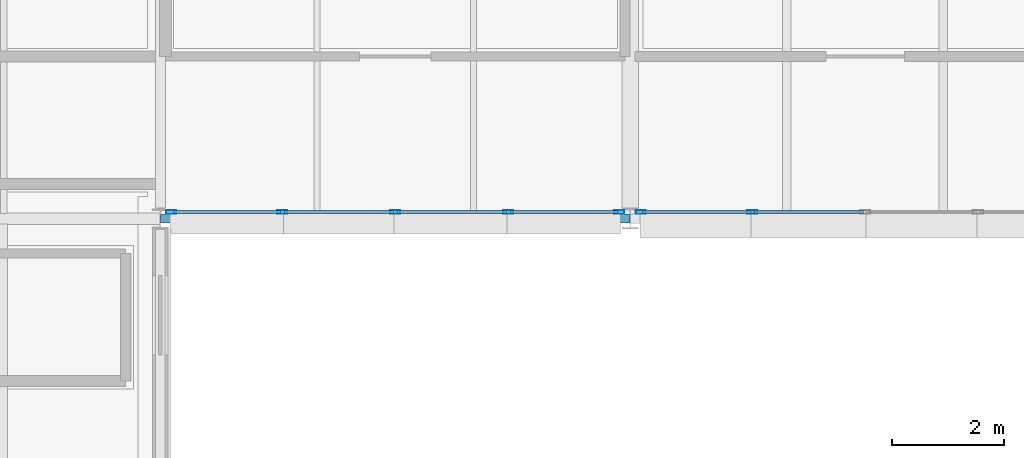
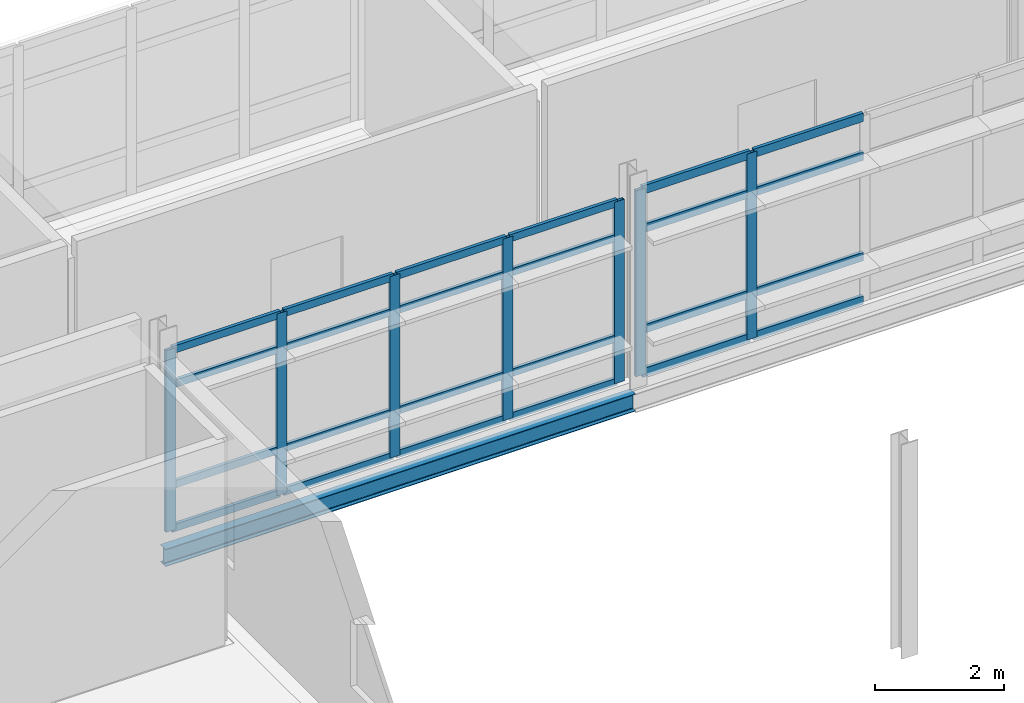
# One storey, part 9 of 66: 31 members, 1 beam, 2 elements without a shape of their own.
"""IFC4 building model written with IfcOpenShell, lengths in metres."""

from ifc_helpers import new_model, si_unit, direction, frame, origin, origin_2d, place, context, subcontext, project, spatial, hollow_rectangle, i_section, extrude, material, material_profile, profile_set, type_object, element, aggregate, save


model = new_model("IFC4")

# Units and contexts
model_context = context("Model", 3, precision=1e-05, world=origin(), true_north=direction((0.0, 1.0)))
body_context = subcontext(model_context, "Body", "Model", "MODEL_VIEW")
ifc_project = project(units=[si_unit("LENGTHUNIT", "METRE"), si_unit("AREAUNIT", "SQUARE_METRE"), si_unit("VOLUMEUNIT", "CUBIC_METRE"), si_unit("PLANEANGLEUNIT", "RADIAN"), si_unit("MASSUNIT", "GRAM", prefix="KILO")], contexts=[model_context])

# Site, building, storey
site_placement = place(None, origin())
site = spatial("IfcSite", under=ifc_project, at=site_placement, CompositionType="ELEMENT")
building_placement = place(site_placement, origin())
building = spatial("IfcBuilding", under=site, at=building_placement, Name="Mersafa Astral City Hall", CompositionType="ELEMENT")
storey_placement = place(building_placement, frame((0.0, 0.0, 22.050048828125)))
storey = spatial("IfcBuildingStorey", under=building, at=storey_placement, Name="L05", CompositionType="ELEMENT", Elevation=22.050048828125)

# Curtain wall, members
ifc_material_1 = material(Name="Anodised bronze aluminium framing", Category="aluminium")
curtain_wall_type_1 = type_object("IfcCurtainWallType", Name="ENV-CW-2", PredefinedType="USERDEFINED", material=ifc_material_1)
curtain_wall_1_placement = place(storey_placement, origin())
curtain_wall_1 = element("IfcCurtainWall", 1, at=curtain_wall_1_placement, inside=storey, type_object=curtain_wall_type_1, Name="L05 Unitised solar curtain wall 235", ObjectType="UNITISED CURTAIN WALL", PredefinedType="USERDEFINED")
ifc_material_profile_1 = material_profile(ifc_material_1, hollow_rectangle(XDim=0.06005859375, YDim=0.179931640625, WallThickness=0.00390625, at=origin_2d()), Name="RHS 60x180x4")
ifc_profile_set_1 = profile_set([ifc_material_profile_1], Name="Anodised bronze aluminium framing")
member_type_1 = type_object("IfcMemberType", Name="ENV-CW-MUL-1", PredefinedType="MULLION", material=ifc_profile_set_1)
member_1_placement = place(storey_placement, frame((58.991943359375, 117.719970703125, -0.001953125), z_axis=(0.0, 0.0, 1.0), x_axis=(0.0, 1.0, 0.0)))
member_1 = element("IfcMember", 2, at=member_1_placement, type_object=member_type_1, Name="CW-2 mullion 1", PredefinedType="MULLION", context=body_context, shape_type="SweptSolid", body=[
    extrude(hollow_rectangle(XDim=0.06005859375, YDim=0.179931640625, WallThickness=0.00390625, at=origin_2d()), origin(), (0.0, 0.0, 1.0), 3.433837890625),
])
member_2_placement = place(storey_placement, frame((60.98095703125, 117.719970703125, -0.001953125), z_axis=(0.0, 0.0, 1.0), x_axis=(0.0, 1.0, 0.0)))
member_2 = element("IfcMember", 3, at=member_2_placement, type_object=member_type_1, Name="CW-2 mullion 2", PredefinedType="MULLION", context=body_context, shape_type="SweptSolid", body=[
    extrude(hollow_rectangle(XDim=0.06005859375, YDim=0.179931640625, WallThickness=0.00390625, at=origin_2d()), origin(), (0.0, 0.0, 1.0), 3.433837890625),
])
member_3_placement = place(storey_placement, frame((63.0, 117.719970703125, -0.001953125), z_axis=(0.0, 0.0, 1.0), x_axis=(0.0, 1.0, 0.0)))
member_3 = element("IfcMember", 4, at=member_3_placement, type_object=member_type_1, Name="CW-2 mullion 3", PredefinedType="MULLION", context=body_context, shape_type="SweptSolid", body=[
    extrude(hollow_rectangle(XDim=0.06005859375, YDim=0.179931640625, WallThickness=0.00390625, at=origin_2d()), origin(), (0.0, 0.0, 1.0), 3.433837890625),
])
member_4_placement = place(storey_placement, frame((65.01904296875, 117.719970703125, -0.001953125), z_axis=(0.0, 0.0, 1.0), x_axis=(0.0, 1.0, 0.0)))
member_4 = element("IfcMember", 5, at=member_4_placement, type_object=member_type_1, Name="CW-2 mullion 4", PredefinedType="MULLION", context=body_context, shape_type="SweptSolid", body=[
    extrude(hollow_rectangle(XDim=0.06005859375, YDim=0.179931640625, WallThickness=0.00390625, at=origin_2d()), origin(), (0.0, 0.0, 1.0), 3.433837890625),
])
member_5_placement = place(storey_placement, frame((67.008056640625, 117.719970703125, -0.001953125), z_axis=(0.0, 0.0, 1.0), x_axis=(0.0, 1.0, 0.0)))
member_5 = element("IfcMember", 6, at=member_5_placement, type_object=member_type_1, Name="CW-2 mullion 5", PredefinedType="MULLION", context=body_context, shape_type="SweptSolid", body=[
    extrude(hollow_rectangle(XDim=0.06005859375, YDim=0.179931640625, WallThickness=0.00390625, at=origin_2d()), origin(), (0.0, 0.0, 1.0), 3.433837890625),
])

curtain_wall_type_2 = type_object("IfcCurtainWallType", Name="ENV-CW-3", PredefinedType="USERDEFINED", material=ifc_material_1)
curtain_wall_2_placement = place(storey_placement, origin())
curtain_wall_2 = element("IfcCurtainWall", 7, at=curtain_wall_2_placement, inside=storey, type_object=curtain_wall_type_2, Name="L05 Unitised solar curtain wall 236", ObjectType="UNITISED CURTAIN WALL", PredefinedType="USERDEFINED")
member_6_placement = place(storey_placement, frame((67.39208984375, 117.719970703125, -0.001953125), z_axis=(0.0, 0.0, 1.0), x_axis=(0.0, 1.0, 0.0)))
member_6 = element("IfcMember", 8, at=member_6_placement, type_object=member_type_1, Name="CW-3 mullion 1", PredefinedType="MULLION", context=body_context, shape_type="SweptSolid", body=[
    extrude(hollow_rectangle(XDim=0.06005859375, YDim=0.179931640625, WallThickness=0.00390625, at=origin_2d()), origin(), (0.0, 0.0, 1.0), 3.513916015625),
])
member_7_placement = place(storey_placement, frame((69.381103515625, 117.719970703125, -0.001953125), z_axis=(0.0, 0.0, 1.0), x_axis=(0.0, 1.0, 0.0)))
member_7 = element("IfcMember", 9, at=member_7_placement, type_object=member_type_1, Name="CW-3 mullion 2", PredefinedType="MULLION", context=body_context, shape_type="SweptSolid", body=[
    extrude(hollow_rectangle(XDim=0.06005859375, YDim=0.179931640625, WallThickness=0.00390625, at=origin_2d()), origin(), (0.0, 0.0, 1.0), 3.513916015625),
])

# Member
ifc_material_profile_2 = material_profile(ifc_material_1, hollow_rectangle(XDim=0.06005859375, YDim=0.139892578125, WallThickness=0.00390625, at=origin_2d()), Name="RHS 60x140x4")
ifc_profile_set_2 = profile_set([ifc_material_profile_2], Name="Anodised bronze aluminium framing")
member_type_2 = type_object("IfcMemberType", Name="ENV-CW-TRN-1", PredefinedType="USERDEFINED", material=ifc_profile_set_2)
member_8_placement = place(storey_placement, frame((59.02197265625, 117.719970703125, 0.02783203125), z_axis=(1.0, 0.0, 0.0), x_axis=(0.0, 1.0, 0.0)))
member_8 = element("IfcMember", 10, at=member_8_placement, type_object=member_type_2, Name="CW-2 transom 1.1", ObjectType="TRANSOM", PredefinedType="USERDEFINED", context=body_context, shape_type="SweptSolid", body=[
    extrude(hollow_rectangle(XDim=0.06005859375, YDim=0.139892578125, WallThickness=0.00390625, at=origin_2d()), origin(), (0.0, 0.0, 1.0), 1.928955078125),
])

member_9_placement = place(storey_placement, frame((59.02197265625, 117.719970703125, 0.849853515625), z_axis=(1.0, 0.0, 0.0), x_axis=(0.0, 1.0, 0.0)))
member_9 = element("IfcMember", 11, at=member_9_placement, type_object=member_type_2, Name="CW-2 transom 1.2", ObjectType="TRANSOM", PredefinedType="USERDEFINED", context=body_context, shape_type="SweptSolid", body=[
    extrude(hollow_rectangle(XDim=0.06005859375, YDim=0.139892578125, WallThickness=0.00390625, at=origin_2d()), origin(), (0.0, 0.0, 1.0), 1.928955078125),
])

member_10_placement = place(storey_placement, frame((59.02197265625, 117.719970703125, 2.75), z_axis=(1.0, 0.0, 0.0), x_axis=(0.0, 1.0, 0.0)))
member_10 = element("IfcMember", 12, at=member_10_placement, type_object=member_type_2, Name="CW-2 transom 1.3", ObjectType="TRANSOM", PredefinedType="USERDEFINED", context=body_context, shape_type="SweptSolid", body=[
    extrude(hollow_rectangle(XDim=0.06005859375, YDim=0.139892578125, WallThickness=0.00390625, at=origin_2d()), origin(), (0.0, 0.0, 1.0), 1.928955078125),
])

member_11_placement = place(storey_placement, frame((59.02197265625, 117.719970703125, 3.40185546875), z_axis=(1.0, 0.0, 0.0), x_axis=(0.0, 1.0, 0.0)))
member_11 = element("IfcMember", 13, at=member_11_placement, type_object=member_type_2, Name="CW-2 transom 1.4", ObjectType="TRANSOM", PredefinedType="USERDEFINED", context=body_context, shape_type="SweptSolid", body=[
    extrude(hollow_rectangle(XDim=0.06005859375, YDim=0.139892578125, WallThickness=0.00390625, at=origin_2d()), origin(), (0.0, 0.0, 1.0), 1.928955078125),
])

member_12_placement = place(storey_placement, frame((61.010986328125, 117.719970703125, 0.02783203125), z_axis=(1.0, 0.0, 0.0), x_axis=(0.0, 1.0, 0.0)))
member_12 = element("IfcMember", 14, at=member_12_placement, type_object=member_type_2, Name="CW-2 transom 2.1", ObjectType="TRANSOM", PredefinedType="USERDEFINED", context=body_context, shape_type="SweptSolid", body=[
    extrude(hollow_rectangle(XDim=0.06005859375, YDim=0.139892578125, WallThickness=0.00390625, at=origin_2d()), origin(), (0.0, 0.0, 1.0), 1.958984375),
])

member_13_placement = place(storey_placement, frame((61.010986328125, 117.719970703125, 0.849853515625), z_axis=(1.0, 0.0, 0.0), x_axis=(0.0, 1.0, 0.0)))
member_13 = element("IfcMember", 15, at=member_13_placement, type_object=member_type_2, Name="CW-2 transom 2.2", ObjectType="TRANSOM", PredefinedType="USERDEFINED", context=body_context, shape_type="SweptSolid", body=[
    extrude(hollow_rectangle(XDim=0.06005859375, YDim=0.139892578125, WallThickness=0.00390625, at=origin_2d()), origin(), (0.0, 0.0, 1.0), 1.958984375),
])

member_14_placement = place(storey_placement, frame((61.010986328125, 117.719970703125, 2.75), z_axis=(1.0, 0.0, 0.0), x_axis=(0.0, 1.0, 0.0)))
member_14 = element("IfcMember", 16, at=member_14_placement, type_object=member_type_2, Name="CW-2 transom 2.3", ObjectType="TRANSOM", PredefinedType="USERDEFINED", context=body_context, shape_type="SweptSolid", body=[
    extrude(hollow_rectangle(XDim=0.06005859375, YDim=0.139892578125, WallThickness=0.00390625, at=origin_2d()), origin(), (0.0, 0.0, 1.0), 1.958984375),
])

member_15_placement = place(storey_placement, frame((61.010986328125, 117.719970703125, 3.40185546875), z_axis=(1.0, 0.0, 0.0), x_axis=(0.0, 1.0, 0.0)))
member_15 = element("IfcMember", 17, at=member_15_placement, type_object=member_type_2, Name="CW-2 transom 2.4", ObjectType="TRANSOM", PredefinedType="USERDEFINED", context=body_context, shape_type="SweptSolid", body=[
    extrude(hollow_rectangle(XDim=0.06005859375, YDim=0.139892578125, WallThickness=0.00390625, at=origin_2d()), origin(), (0.0, 0.0, 1.0), 1.958984375),
])

member_16_placement = place(storey_placement, frame((63.030029296875, 117.719970703125, 0.02783203125), z_axis=(1.0, 0.0, 0.0), x_axis=(0.0, 1.0, 0.0)))
member_16 = element("IfcMember", 18, at=member_16_placement, type_object=member_type_2, Name="CW-2 transom 3.1", ObjectType="TRANSOM", PredefinedType="USERDEFINED", context=body_context, shape_type="SweptSolid", body=[
    extrude(hollow_rectangle(XDim=0.06005859375, YDim=0.139892578125, WallThickness=0.00390625, at=origin_2d()), origin(), (0.0, 0.0, 1.0), 1.958984375),
])

member_17_placement = place(storey_placement, frame((63.030029296875, 117.719970703125, 0.849853515625), z_axis=(1.0, 0.0, 0.0), x_axis=(0.0, 1.0, 0.0)))
member_17 = element("IfcMember", 19, at=member_17_placement, type_object=member_type_2, Name="CW-2 transom 3.2", ObjectType="TRANSOM", PredefinedType="USERDEFINED", context=body_context, shape_type="SweptSolid", body=[
    extrude(hollow_rectangle(XDim=0.06005859375, YDim=0.139892578125, WallThickness=0.00390625, at=origin_2d()), origin(), (0.0, 0.0, 1.0), 1.958984375),
])

member_18_placement = place(storey_placement, frame((63.030029296875, 117.719970703125, 2.75), z_axis=(1.0, 0.0, 0.0), x_axis=(0.0, 1.0, 0.0)))
member_18 = element("IfcMember", 20, at=member_18_placement, type_object=member_type_2, Name="CW-2 transom 3.3", ObjectType="TRANSOM", PredefinedType="USERDEFINED", context=body_context, shape_type="SweptSolid", body=[
    extrude(hollow_rectangle(XDim=0.06005859375, YDim=0.139892578125, WallThickness=0.00390625, at=origin_2d()), origin(), (0.0, 0.0, 1.0), 1.958984375),
])

member_19_placement = place(storey_placement, frame((63.030029296875, 117.719970703125, 3.40185546875), z_axis=(1.0, 0.0, 0.0), x_axis=(0.0, 1.0, 0.0)))
member_19 = element("IfcMember", 21, at=member_19_placement, type_object=member_type_2, Name="CW-2 transom 3.4", ObjectType="TRANSOM", PredefinedType="USERDEFINED", context=body_context, shape_type="SweptSolid", body=[
    extrude(hollow_rectangle(XDim=0.06005859375, YDim=0.139892578125, WallThickness=0.00390625, at=origin_2d()), origin(), (0.0, 0.0, 1.0), 1.958984375),
])

member_20_placement = place(storey_placement, frame((65.049072265625, 117.719970703125, 0.02783203125), z_axis=(1.0, 0.0, 0.0), x_axis=(0.0, 1.0, 0.0)))
member_20 = element("IfcMember", 22, at=member_20_placement, type_object=member_type_2, Name="CW-2 transom 4.1", ObjectType="TRANSOM", PredefinedType="USERDEFINED", context=body_context, shape_type="SweptSolid", body=[
    extrude(hollow_rectangle(XDim=0.06005859375, YDim=0.139892578125, WallThickness=0.00390625, at=origin_2d()), origin(), (0.0, 0.0, 1.0), 1.928955078125),
])

member_21_placement = place(storey_placement, frame((65.049072265625, 117.719970703125, 0.849853515625), z_axis=(1.0, 0.0, 0.0), x_axis=(0.0, 1.0, 0.0)))
member_21 = element("IfcMember", 23, at=member_21_placement, type_object=member_type_2, Name="CW-2 transom 4.2", ObjectType="TRANSOM", PredefinedType="USERDEFINED", context=body_context, shape_type="SweptSolid", body=[
    extrude(hollow_rectangle(XDim=0.06005859375, YDim=0.139892578125, WallThickness=0.00390625, at=origin_2d()), origin(), (0.0, 0.0, 1.0), 1.928955078125),
])

member_22_placement = place(storey_placement, frame((65.049072265625, 117.719970703125, 2.75), z_axis=(1.0, 0.0, 0.0), x_axis=(0.0, 1.0, 0.0)))
member_22 = element("IfcMember", 24, at=member_22_placement, type_object=member_type_2, Name="CW-2 transom 4.3", ObjectType="TRANSOM", PredefinedType="USERDEFINED", context=body_context, shape_type="SweptSolid", body=[
    extrude(hollow_rectangle(XDim=0.06005859375, YDim=0.139892578125, WallThickness=0.00390625, at=origin_2d()), origin(), (0.0, 0.0, 1.0), 1.928955078125),
])

member_23_placement = place(storey_placement, frame((65.049072265625, 117.719970703125, 3.40185546875), z_axis=(1.0, 0.0, 0.0), x_axis=(0.0, 1.0, 0.0)))
member_23 = element("IfcMember", 25, at=member_23_placement, type_object=member_type_2, Name="CW-2 transom 4.4", ObjectType="TRANSOM", PredefinedType="USERDEFINED", context=body_context, shape_type="SweptSolid", body=[
    extrude(hollow_rectangle(XDim=0.06005859375, YDim=0.139892578125, WallThickness=0.00390625, at=origin_2d()), origin(), (0.0, 0.0, 1.0), 1.928955078125),
])

aggregate(curtain_wall_1, [member_1, member_2, member_3, member_4, member_5, member_8, member_9, member_10, member_11, member_12, member_13, member_14, member_15, member_16, member_17, member_18, member_19, member_20, member_21, member_22, member_23])

ifc_material_profile_3 = material_profile(ifc_material_1, hollow_rectangle(XDim=0.06005859375, YDim=0.159912109375, WallThickness=0.00390625, at=origin_2d()), Name="RHS 60x160x4")
ifc_profile_set_3 = profile_set([ifc_material_profile_3], Name="Anodised bronze aluminium framing")
member_type_3 = type_object("IfcMemberType", Name="ENV-CW-TRN-2", PredefinedType="USERDEFINED", material=ifc_profile_set_3)
member_24_placement = place(storey_placement, frame((67.422119140625, 117.719970703125, 0.02783203125), z_axis=(1.0, 0.0, 0.0), x_axis=(0.0, 1.0, 0.0)))
member_24 = element("IfcMember", 26, at=member_24_placement, type_object=member_type_3, Name="CW-3 transom 1.1", ObjectType="TRANSOM", PredefinedType="USERDEFINED", context=body_context, shape_type="SweptSolid", body=[
    extrude(hollow_rectangle(XDim=0.06005859375, YDim=0.159912109375, WallThickness=0.00390625, at=origin_2d()), origin(), (0.0, 0.0, 1.0), 1.928955078125),
])

member_25_placement = place(storey_placement, frame((67.422119140625, 117.719970703125, 0.849853515625), z_axis=(1.0, 0.0, 0.0), x_axis=(0.0, 1.0, 0.0)))
member_25 = element("IfcMember", 27, at=member_25_placement, type_object=member_type_3, Name="CW-3 transom 1.2", ObjectType="TRANSOM", PredefinedType="USERDEFINED", context=body_context, shape_type="SweptSolid", body=[
    extrude(hollow_rectangle(XDim=0.06005859375, YDim=0.159912109375, WallThickness=0.00390625, at=origin_2d()), origin(), (0.0, 0.0, 1.0), 1.928955078125),
])

member_26_placement = place(storey_placement, frame((67.422119140625, 117.719970703125, 2.75), z_axis=(1.0, 0.0, 0.0), x_axis=(0.0, 1.0, 0.0)))
member_26 = element("IfcMember", 28, at=member_26_placement, type_object=member_type_3, Name="CW-3 transom 1.3", ObjectType="TRANSOM", PredefinedType="USERDEFINED", context=body_context, shape_type="SweptSolid", body=[
    extrude(hollow_rectangle(XDim=0.06005859375, YDim=0.159912109375, WallThickness=0.00390625, at=origin_2d()), origin(), (0.0, 0.0, 1.0), 1.928955078125),
])

member_27_placement = place(storey_placement, frame((67.422119140625, 117.719970703125, 3.48193359375), z_axis=(1.0, 0.0, 0.0), x_axis=(0.0, 1.0, 0.0)))
member_27 = element("IfcMember", 29, at=member_27_placement, type_object=member_type_3, Name="CW-3 transom 1.4", ObjectType="TRANSOM", PredefinedType="USERDEFINED", context=body_context, shape_type="SweptSolid", body=[
    extrude(hollow_rectangle(XDim=0.06005859375, YDim=0.159912109375, WallThickness=0.00390625, at=origin_2d()), origin(), (0.0, 0.0, 1.0), 1.928955078125),
])

member_28_placement = place(storey_placement, frame((69.410888671875, 117.719970703125, 0.02783203125), z_axis=(1.0, 0.0, 0.0), x_axis=(0.0, 1.0, 0.0)))
member_28 = element("IfcMember", 30, at=member_28_placement, type_object=member_type_3, Name="CW-3 transom 2.1", ObjectType="TRANSOM", PredefinedType="USERDEFINED", context=body_context, shape_type="SweptSolid", body=[
    extrude(hollow_rectangle(XDim=0.06005859375, YDim=0.159912109375, WallThickness=0.00390625, at=origin_2d()), origin(), (0.0, 0.0, 1.0), 1.959228515625),
])

member_29_placement = place(storey_placement, frame((69.410888671875, 117.719970703125, 0.849853515625), z_axis=(1.0, 0.0, 0.0), x_axis=(0.0, 1.0, 0.0)))
member_29 = element("IfcMember", 31, at=member_29_placement, type_object=member_type_3, Name="CW-3 transom 2.2", ObjectType="TRANSOM", PredefinedType="USERDEFINED", context=body_context, shape_type="SweptSolid", body=[
    extrude(hollow_rectangle(XDim=0.06005859375, YDim=0.159912109375, WallThickness=0.00390625, at=origin_2d()), origin(), (0.0, 0.0, 1.0), 1.959228515625),
])

member_30_placement = place(storey_placement, frame((69.410888671875, 117.719970703125, 2.75), z_axis=(1.0, 0.0, 0.0), x_axis=(0.0, 1.0, 0.0)))
member_30 = element("IfcMember", 32, at=member_30_placement, type_object=member_type_3, Name="CW-3 transom 2.3", ObjectType="TRANSOM", PredefinedType="USERDEFINED", context=body_context, shape_type="SweptSolid", body=[
    extrude(hollow_rectangle(XDim=0.06005859375, YDim=0.159912109375, WallThickness=0.00390625, at=origin_2d()), origin(), (0.0, 0.0, 1.0), 1.959228515625),
])

member_31_placement = place(storey_placement, frame((69.410888671875, 117.719970703125, 3.48193359375), z_axis=(1.0, 0.0, 0.0), x_axis=(0.0, 1.0, 0.0)))
member_31 = element("IfcMember", 33, at=member_31_placement, type_object=member_type_3, Name="CW-3 transom 2.4", ObjectType="TRANSOM", PredefinedType="USERDEFINED", context=body_context, shape_type="SweptSolid", body=[
    extrude(hollow_rectangle(XDim=0.06005859375, YDim=0.159912109375, WallThickness=0.00390625, at=origin_2d()), origin(), (0.0, 0.0, 1.0), 1.959228515625),
])

aggregate(curtain_wall_2, [member_6, member_7, member_24, member_25, member_26, member_27, member_28, member_29, member_30, member_31])

# Beam
ifc_material_2 = material(Name="Steel S355", Category="steel")
ifc_material_profile_4 = material_profile(ifc_material_2, i_section(OverallWidth=0.159912109375, OverallDepth=0.330078125, WebThickness=0.007568359375, FlangeThickness=0.011474609375, FilletRadius=0.01806640625, at=origin_2d()), Name="IPE 330")
ifc_profile_set_4 = profile_set([ifc_material_profile_4], Name="Steel S355")
beam_type = type_object("IfcBeamType", Name="STR-BM-SPANDREL-IPE330", PredefinedType="SPANDREL", material=ifc_profile_set_4)
beam_placement = place(storey_placement, frame((58.802978515625, 117.60009765625, -0.344970703125), z_axis=(1.0, 0.0, 0.0), x_axis=(0.0, 1.0, 0.0)))
element("IfcBeam", 34, at=beam_placement, inside=storey, type_object=beam_type, Name="L05 Primary girder X 7-14", PredefinedType="SPANDREL", context=body_context, shape_type="SweptSolid", body=[
    extrude(i_section(OverallWidth=0.159912109375, OverallDepth=0.330078125, WebThickness=0.007568359375, FlangeThickness=0.011474609375, FilletRadius=0.01806640625, at=origin_2d()), origin(), (0.0, 0.0, 1.0), 8.39404296875),
])

save(model, "model.ifc")
